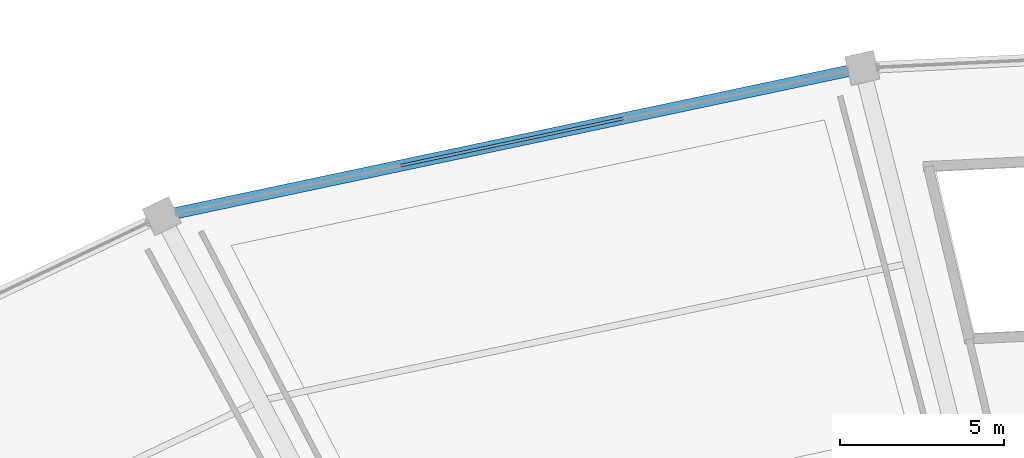
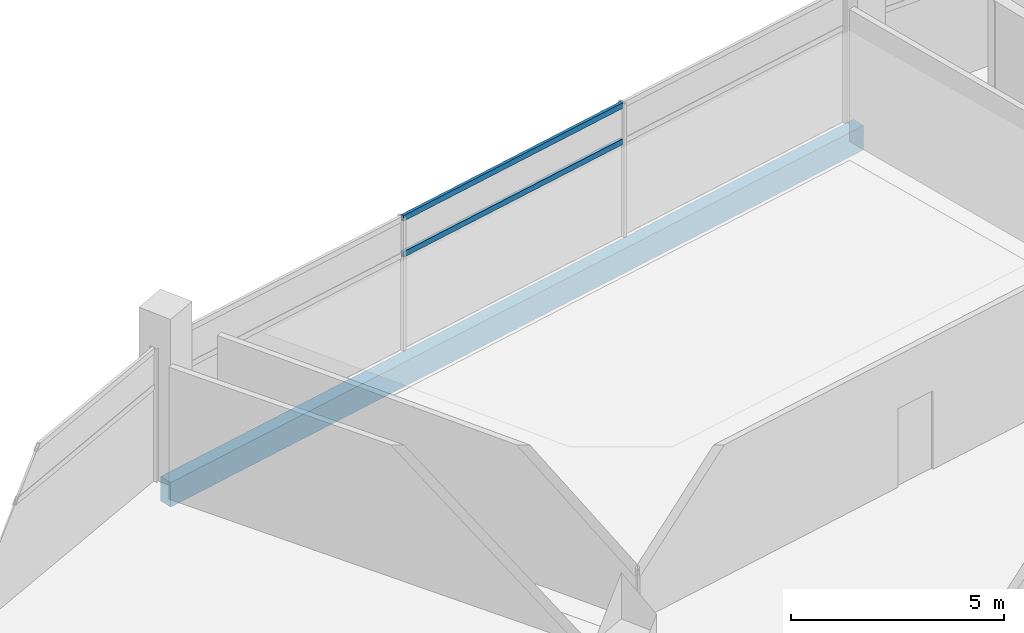
# One storey, part 101 of 171: 2 members, 1 beam, 1 element without a shape of its own.
"""IFC4 building model written with IfcOpenShell, lengths in metres."""

from ifc_helpers import new_model, si_unit, direction, frame, origin, origin_2d, place, context, subcontext, project, spatial, rectangle, hollow_rectangle, extrude, material, layer, layer_set, material_profile, profile_set, type_object, element, aggregate, save


model = new_model("IFC4")

# Units and contexts
model_context = context("Model", 3, precision=1e-05, world=origin(), true_north=direction((0.0, 1.0)))
body_context = subcontext(model_context, "Body", "Model", "MODEL_VIEW")
ifc_project = project(units=[si_unit("LENGTHUNIT", "METRE"), si_unit("AREAUNIT", "SQUARE_METRE"), si_unit("VOLUMEUNIT", "CUBIC_METRE"), si_unit("PLANEANGLEUNIT", "RADIAN"), si_unit("MASSUNIT", "GRAM", prefix="KILO")], contexts=[model_context])

# Site, building, storey
site_placement = place(None, origin())
site = spatial("IfcSite", under=ifc_project, at=site_placement, CompositionType="ELEMENT")
building_placement = place(site_placement, origin())
building = spatial("IfcBuilding", under=site, at=building_placement, Name="Kazemori Nagisa Stadium", CompositionType="ELEMENT")
storey_placement = place(building_placement, frame((0.0, 0.0, 15.639892578125)))
storey = spatial("IfcBuildingStorey", under=building, at=storey_placement, Name="L03", CompositionType="ELEMENT", Elevation=15.639892578125)

# Beam
ifc_material_1 = material(Name="Concrete C40/50 (Fc42)", Category="concrete")
ifc_material_profile_1 = material_profile(ifc_material_1, rectangle(XDim=0.35009765625, YDim=0.699951171875, at=origin_2d()), Name="RC-SP-350x700")
ifc_profile_set_1 = profile_set([ifc_material_profile_1], Name="Concrete C40/50 (Fc42)")
beam_type = type_object("IfcBeamType", Name="Beam_BS-RC350X700", PredefinedType="SPANDREL", material=ifc_profile_set_1)
beam_placement = place(storey_placement, frame((101.572265625, 186.98681640625, -0.60986328125), z_axis=(-0.97834587432, -0.206976689994, 0.0), x_axis=(0.206976689994, -0.97834587432, 0.0)))
element("IfcBeam", 1, at=beam_placement, inside=storey, type_object=beam_type, Name="Ring girder BS-RC350X700 L03 R3-09", PredefinedType="SPANDREL", context=body_context, shape_type="SweptSolid", body=[
    extrude(rectangle(XDim=0.35009765625, YDim=0.699951171875, at=origin_2d()), origin(), (0.0, 0.0, 1.0), 21.85009765625),
])

# Curtain wall, members
ifc_material_2 = material(Name="Anodised aluminium 6063-T5", Category="aluminium")
ifc_layer = layer(ifc_material_2, 0.2099609375, Name="Anodised aluminium 6063-T5", Category="aluminium")
ifc_layer_set = layer_set([ifc_layer], Name="Anodised aluminium 6063-T5")
curtain_wall_type = type_object("IfcCurtainWallType", Name="CW_L03R3_105", PredefinedType="USERDEFINED", material=ifc_layer_set)
curtain_wall_placement = place(storey_placement, origin())
curtain_wall = element("IfcCurtainWall", 2, at=curtain_wall_placement, inside=storey, type_object=curtain_wall_type, Name="Unitised curtain wall CW-L03R3-105 L03", ObjectType="UNITISED CURTAIN WALL", PredefinedType="USERDEFINED")
ifc_material_3 = material(Name="Aluminium 6063-T5 anodised", Category="aluminium")
ifc_material_profile_2 = material_profile(ifc_material_3, hollow_rectangle(XDim=0.080078125, YDim=0.159912109375, WallThickness=0.00390625, at=origin_2d()), Name="ALU-TRAN-80x160x4")
ifc_profile_set_2 = profile_set([ifc_material_profile_2], Name="Aluminium 6063-T5 anodised")
member_type = type_object("IfcMemberType", Name="Transom_T02", PredefinedType="USERDEFINED", material=ifc_profile_set_2)
member_1_placement = place(storey_placement, frame((94.272216796875, 185.4423828125, 2.705322265625), z_axis=(-0.978348879673, -0.20696248366, 0.0), x_axis=(0.20696248366, -0.978348879673, 0.0)))
member_1 = element("IfcMember", 3, at=member_1_placement, type_object=member_type, Name="Curtain wall transom CW-L03R3-105-T2-mid", ObjectType="TRANSOM", PredefinedType="USERDEFINED", context=body_context, shape_type="SweptSolid", body=[
    extrude(hollow_rectangle(XDim=0.080078125, YDim=0.159912109375, WallThickness=0.00390625, at=origin_2d()), origin(), (0.0, 0.0, 1.0), 6.9267578125),
])
member_2_placement = place(storey_placement, frame((94.272216796875, 185.4423828125, 3.739990234375), z_axis=(-0.978348879673, -0.20696248366, 0.0), x_axis=(0.20696248366, -0.978348879673, 0.0)))
member_2 = element("IfcMember", 4, at=member_2_placement, type_object=member_type, Name="Curtain wall transom CW-L03R3-105-T2-head", ObjectType="TRANSOM", PredefinedType="USERDEFINED", context=body_context, shape_type="SweptSolid", body=[
    extrude(hollow_rectangle(XDim=0.080078125, YDim=0.159912109375, WallThickness=0.00390625, at=origin_2d()), origin(), (0.0, 0.0, 1.0), 6.9267578125),
])
aggregate(curtain_wall, [member_1, member_2])

save(model, "model.ifc")
